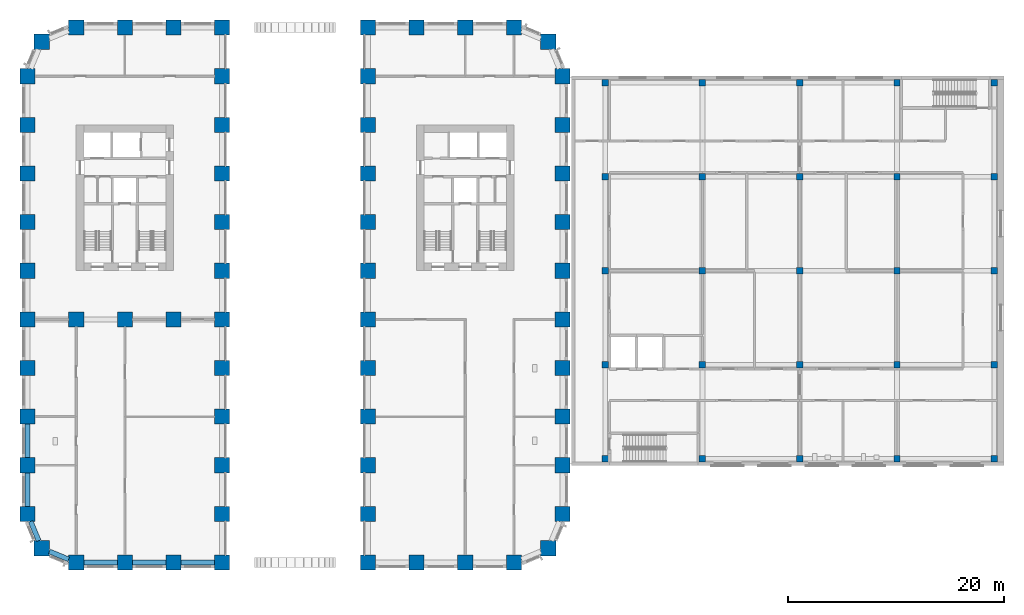
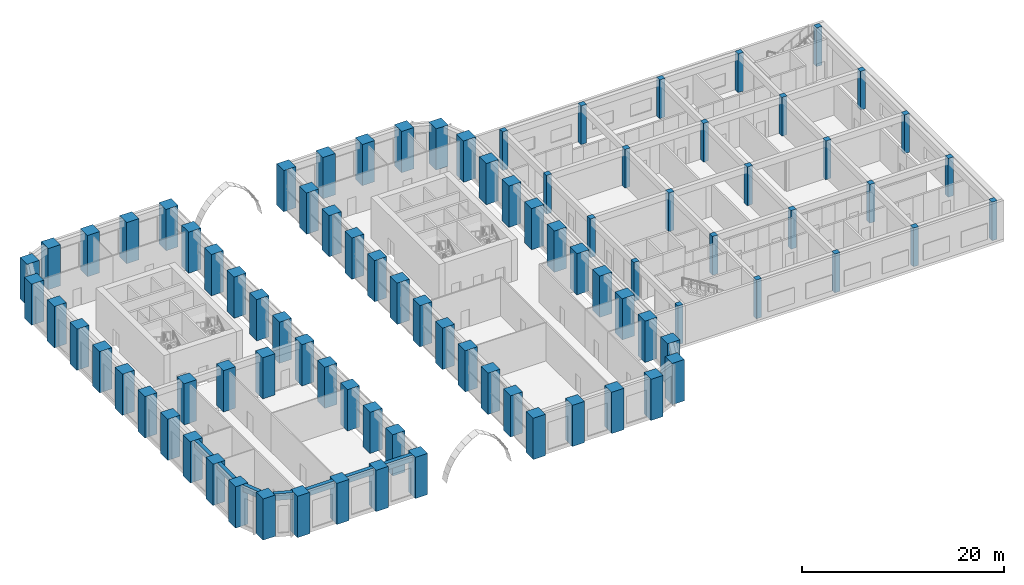
# One storey, part 1 of 24: 88 columns, 7 beams.
"""IFC4 building model written with IfcOpenShell, lengths in metres."""

import ifcopenshell
import ifcopenshell.guid

model = None  # the IFC model being written
_history = None  # IfcOwnerHistory: only IFC2X3 demands one
_inside = {}  # id of a spatial element -> (the spatial element, [elements in it])
_under = {}  # id of a project, library or spatial element -> (it, [spatial elements below it])
_declared = {}  # id of a project -> (the project, [libraries it declares])
_typed = {}  # id of a type object -> (the type object, [elements of that type])
_made_of = {}  # id of a material, layer set ... -> (it, [elements and type objects made of it])


def new_model(schema):
    """Start an empty IFC model of exactly this schema.

    Asked for "IFC4X3", IfcOpenShell would pick the latest addendum, in which some entities
    have other attributes; the version numbers below select the first issue.
    IFC2X3 requires an IfcOwnerHistory on every rooted entity: one is made here for all.
    """
    global model, _history
    if schema == "IFC4X3":
        model = ifcopenshell.file(schema_version=(4, 3, 0, 0))
    else:
        model = ifcopenshell.file(schema=schema)
    _inside.clear()
    _under.clear()
    _declared.clear()
    _typed.clear()
    _made_of.clear()
    _history = None
    if model.schema == "IFC2X3":
        org = make("IfcOrganization", Name="unknown")
        user = make(
            "IfcPersonAndOrganization",
            ThePerson=make("IfcPerson", FamilyName="unknown"),
            TheOrganization=org,
        )
        app = make(
            "IfcApplication",
            ApplicationDeveloper=org,
            Version="unknown",
            ApplicationFullName="unknown",
            ApplicationIdentifier="unknown",
        )
        _history = make(
            "IfcOwnerHistory",
            OwningUser=user,
            OwningApplication=app,
            ChangeAction="ADDED",
            CreationDate=0,
        )
    return model


def make(cls, **values):
    """One entity of the class cls with the attributes given. An attribute that is None is left unset."""
    return model.create_entity(
        cls, **{name: value for name, value in values.items() if value is not None}
    )


def rooted(cls, **values):
    """An entity with a GlobalId (a new one), such as an element, a storey or a relation."""
    return make(cls, GlobalId=ifcopenshell.guid.new(), OwnerHistory=_history, **values)


def si_unit(unit_type, name, prefix=None):
    """IfcSIUnit, for example si_unit("LENGTHUNIT", "METRE", prefix="MILLI")."""
    return make("IfcSIUnit", UnitType=unit_type, Prefix=prefix, Name=name)


def assignment(units):
    """IfcUnitAssignment: the units of a project."""
    return None if units is None else make("IfcUnitAssignment", Units=units)


def point(xyz):
    """IfcCartesianPoint."""
    return None if xyz is None else make("IfcCartesianPoint", Coordinates=xyz)


def direction(xyz):
    """IfcDirection."""
    return None if xyz is None else make("IfcDirection", DirectionRatios=xyz)


def frame(location, z_axis=None, x_axis=None):
    """IfcAxis2Placement3D, a coordinate frame: its origin and axes. An axis left out is left unset."""
    return make(
        "IfcAxis2Placement3D",
        Location=point(location),
        Axis=direction(z_axis),
        RefDirection=direction(x_axis),
    )


def frame_2d(location, x_axis=None):
    """IfcAxis2Placement2D, a coordinate frame in the plane: its origin and x axis."""
    return make(
        "IfcAxis2Placement2D", Location=point(location), RefDirection=direction(x_axis)
    )


def origin():
    """The frame at (0, 0, 0) with its axes left unset."""
    return frame((0.0, 0.0, 0.0))


def origin_2d():
    """The frame at (0, 0) in the plane with its x axis left unset."""
    return frame_2d((0.0, 0.0))


def place(relative_to, where):
    """IfcLocalPlacement: puts the frame where relative to a parent placement (None: the world)."""
    return make(
        "IfcLocalPlacement", PlacementRelTo=relative_to, RelativePlacement=where
    )


def context(
    kind, dimensions, precision=None, world=None, true_north=None, identifier=None
):
    """IfcGeometricRepresentationContext, for example the 3D "Model" context."""
    return make(
        "IfcGeometricRepresentationContext",
        ContextIdentifier=identifier,
        ContextType=kind,
        CoordinateSpaceDimension=dimensions,
        Precision=precision,
        WorldCoordinateSystem=world,
        TrueNorth=true_north,
    )


def subcontext(parent, identifier, kind, view, scale=None):
    """IfcGeometricRepresentationSubContext, for example "Body" below "Model"."""
    return make(
        "IfcGeometricRepresentationSubContext",
        ContextIdentifier=identifier,
        ContextType=kind,
        ParentContext=parent,
        TargetScale=scale,
        TargetView=view,
    )


def project(units=None, contexts=None):
    """IfcProject with its units and contexts."""
    return rooted(
        "IfcProject",
        Name="project",
        RepresentationContexts=contexts,
        UnitsInContext=assignment(units),
    )


def spatial(cls, under=None, at=None, **own):
    """A site, building, storey or space (cls), placed at a placement, below another one or the project."""
    s = rooted(cls, ObjectPlacement=at, **own)
    if under is not None:
        _under.setdefault(under.id(), (under, []))[1].append(s)
    return s


def profile(cls, at=None, kind="AREA", **sizes):
    """A parametric profile (cls). Its sizes go by their IFC names, for example OverallWidth=200.0."""
    return make(cls, ProfileType=kind, Position=at, **sizes)


def rectangle(**sizes):
    """IfcRectangleProfileDef."""
    return profile("IfcRectangleProfileDef", **sizes)


def extrude(swept, where, along, depth):
    """IfcExtrudedAreaSolid: the profile swept, set in the frame where, extruded along a direction by depth."""
    return make(
        "IfcExtrudedAreaSolid",
        SweptArea=swept,
        Position=where,
        ExtrudedDirection=direction(along),
        Depth=depth,
    )


def shape(context_of_items, identifier, shape_type, items):
    """IfcShapeRepresentation: the items that make up one representation, for example the "Body"."""
    return make(
        "IfcShapeRepresentation",
        ContextOfItems=context_of_items,
        RepresentationIdentifier=identifier,
        RepresentationType=shape_type,
        Items=items,
    )


def material(Name=None, Category=None):
    """IfcMaterial."""
    return make("IfcMaterial", Name=Name, Category=Category)


def material_profile(
    of_material, cross_section, Name=None, Category=None, Priority=None
):
    """IfcMaterialProfile: a cross section and its material."""
    return make(
        "IfcMaterialProfile",
        Name=Name,
        Material=of_material,
        Profile=cross_section,
        Priority=Priority,
        Category=Category,
    )


def profile_set(profiles, Name=None, composite=None):
    """IfcMaterialProfileSet."""
    return make(
        "IfcMaterialProfileSet",
        Name=Name,
        MaterialProfiles=profiles,
        CompositeProfile=composite,
    )


def made_of(thing, what):
    """Note that an element or type object is made of a material, layer set ...; save() writes the relation."""
    if what is not None:
        _made_of.setdefault(what.id(), (what, []))[1].append(thing)
    return thing


def type_object(cls, material=None, **own):
    """A type object (cls), such as IfcWallType, which elements share."""
    return made_of(rooted(cls, **own), material)


def element(
    cls,
    number,
    at=None,
    inside=None,
    cuts=None,
    type_object=None,
    material=None,
    context=None,
    identifier="Body",
    shape_type=None,
    held_by="IfcProductDefinitionShape",
    body=None,
    shapes=None,
    **own,
):
    """One element of the class cls, such as IfcWall. Its Tag is "e" and its number.

    at: its placement. inside: the storey or other place that contains it. cuts: it is an
    opening in that element (IfcRelVoidsElement). A single representation is given by context,
    identifier, shape_type and body (its items); several are given by shapes. held_by: the class
    of the entity that holds the representations. save() writes the other relations.
    """
    e = rooted(cls, Tag="e%d" % number, ObjectPlacement=at, **own)
    if body is not None:
        shapes = [shape(context, identifier, shape_type, body)]
    if shapes is not None:
        e.Representation = make(held_by, Representations=shapes)
    if inside is not None:
        _inside.setdefault(inside.id(), (inside, []))[1].append(e)
    if cuts is not None:
        rooted(
            "IfcRelVoidsElement", RelatingBuildingElement=cuts, RelatedOpeningElement=e
        )
    if type_object is not None:
        _typed.setdefault(type_object.id(), (type_object, []))[1].append(e)
    return made_of(e, material)


def aggregate(whole, parts):
    """IfcRelAggregates: a whole, such as a stair, and the parts it consists of."""
    return rooted("IfcRelAggregates", RelatingObject=whole, RelatedObjects=parts)


def save(model, path):
    """Write the relations noted so far, then the file.

    IfcRelAggregates (storeys below a building ...), IfcRelContainedInSpatialStructure (elements
    in a storey), IfcRelDefinesByType, IfcRelAssociatesMaterial and IfcRelDeclares: one each for
    every whole, place, type object, material and project.
    """
    for whole, parts in _under.values():
        aggregate(whole, parts)
    for where, things in _inside.values():
        rooted(
            "IfcRelContainedInSpatialStructure",
            RelatedElements=things,
            RelatingStructure=where,
        )
    for kind, things in _typed.values():
        rooted("IfcRelDefinesByType", RelatedObjects=things, RelatingType=kind)
    for what, things in _made_of.values():
        rooted("IfcRelAssociatesMaterial", RelatedObjects=things, RelatingMaterial=what)
    for by, libraries in _declared.values():
        rooted("IfcRelDeclares", RelatingContext=by, RelatedDefinitions=libraries)
    model.write(path)


model = new_model("IFC4")

# Units and contexts
model_context = context("Model", 3, precision=1e-05, world=origin(), true_north=direction((0.0, 1.0)))
body_context = subcontext(model_context, "Body", "Model", "MODEL_VIEW")
ifc_project = project(units=[si_unit("LENGTHUNIT", "METRE"), si_unit("AREAUNIT", "SQUARE_METRE"), si_unit("VOLUMEUNIT", "CUBIC_METRE"), si_unit("PLANEANGLEUNIT", "RADIAN"), si_unit("MASSUNIT", "GRAM", prefix="KILO")], contexts=[model_context])

# Site, building, storey
site_placement = place(None, origin())
site = spatial("IfcSite", under=ifc_project, at=site_placement, CompositionType="ELEMENT")
building_placement = place(site_placement, origin())
building = spatial("IfcBuilding", under=site, at=building_placement, Name="Girih Gate Residences", CompositionType="ELEMENT")
storey_placement = place(building_placement, frame((0.0, 0.0, 11.0)))
storey = spatial("IfcBuildingStorey", under=building, at=storey_placement, Name="L02", CompositionType="ELEMENT", Elevation=11.0)

# Columns
ifc_material_1 = material(Name="Concrete C50/60", Category="concrete")
ifc_material_profile_1 = material_profile(ifc_material_1, rectangle(XDim=0.60009765625, YDim=0.60009765625, at=origin_2d()))
ifc_profile_set_1 = profile_set([ifc_material_profile_1], Name="Concrete C50/60")
column_type_1 = type_object("IfcColumnType", Name="HC Column 600x600 C50/60", PredefinedType="COLUMN", material=ifc_profile_set_1)
for number, where, z_axis, x_axis, name in (
    (1, (53.449951171875, 9.60009765625, 0.0), (0.0, 0.0, 1.0), (1.0, 0.0, 0.0), "L02 column H1/HA"),
    (2, (53.449951171875, 18.300048828125, 0.0), (0.0, 0.0, 1.0), (1.0, 0.0, 0.0), "L02 column H1/HB"),
    (3, (53.449951171875, 27.0, 0.0), (0.0, 0.0, 1.0), (1.0, 0.0, 0.0), "L02 column H1/HC"),
    (4, (53.449951171875, 35.699951171875, 0.0), (0.0, 0.0, 1.0), (1.0, 0.0, 0.0), "L02 column H1/HD"),
    (5, (53.449951171875, 44.39990234375, 0.0), (0.0, 0.0, 1.0), (1.0, 0.0, 0.0), "L02 column H1/HE"),
    (6, (62.449951171875, 9.60009765625, 0.0), (0.0, 0.0, 1.0), (1.0, 0.0, 0.0), "L02 column H2/HA"),
    (7, (62.449951171875, 18.300048828125, 0.0), (0.0, 0.0, 1.0), (1.0, 0.0, 0.0), "L02 column H2/HB"),
    (8, (62.449951171875, 27.0, 0.0), (0.0, 0.0, 1.0), (1.0, 0.0, 0.0), "L02 column H2/HC"),
    (9, (62.449951171875, 35.699951171875, 0.0), (0.0, 0.0, 1.0), (1.0, 0.0, 0.0), "L02 column H2/HD"),
    (10, (62.449951171875, 44.39990234375, 0.0), (0.0, 0.0, 1.0), (1.0, 0.0, 0.0), "L02 column H2/HE"),
    (11, (71.449951171875, 9.60009765625, 0.0), (0.0, 0.0, 1.0), (1.0, 0.0, 0.0), "L02 column H3/HA"),
    (12, (71.449951171875, 18.300048828125, 0.0), (0.0, 0.0, 1.0), (1.0, 0.0, 0.0), "L02 column H3/HB"),
    (13, (71.449951171875, 27.0, 0.0), (0.0, 0.0, 1.0), (1.0, 0.0, 0.0), "L02 column H3/HC"),
    (14, (71.449951171875, 35.699951171875, 0.0), (0.0, 0.0, 1.0), (1.0, 0.0, 0.0), "L02 column H3/HD"),
    (15, (71.449951171875, 44.39990234375, 0.0), (0.0, 0.0, 1.0), (1.0, 0.0, 0.0), "L02 column H3/HE"),
    (16, (80.449951171875, 9.60009765625, 0.0), (0.0, 0.0, 1.0), (1.0, 0.0, 0.0), "L02 column H4/HA"),
    (17, (80.449951171875, 18.300048828125, 0.0), (0.0, 0.0, 1.0), (1.0, 0.0, 0.0), "L02 column H4/HB"),
    (18, (80.449951171875, 27.0, 0.0), (0.0, 0.0, 1.0), (1.0, 0.0, 0.0), "L02 column H4/HC"),
    (19, (80.449951171875, 35.699951171875, 0.0), (0.0, 0.0, 1.0), (1.0, 0.0, 0.0), "L02 column H4/HD"),
    (20, (80.449951171875, 44.39990234375, 0.0), (0.0, 0.0, 1.0), (1.0, 0.0, 0.0), "L02 column H4/HE"),
    (21, (89.449951171875, 9.60009765625, 0.0), (0.0, 0.0, 1.0), (1.0, 0.0, 0.0), "L02 column H5/HA"),
    (22, (89.449951171875, 18.300048828125, 0.0), (0.0, 0.0, 1.0), (1.0, 0.0, 0.0), "L02 column H5/HB"),
    (23, (89.449951171875, 27.0, 0.0), (0.0, 0.0, 1.0), (1.0, 0.0, 0.0), "L02 column H5/HC"),
    (24, (89.449951171875, 35.699951171875, 0.0), (0.0, 0.0, 1.0), (1.0, 0.0, 0.0), "L02 column H5/HD"),
    (25, (89.449951171875, 44.39990234375, 0.0), (0.0, 0.0, 1.0), (1.0, 0.0, 0.0), "L02 column H5/HE"),
):
    element("IfcColumn", number, at=place(storey_placement, frame(where, z_axis=z_axis, x_axis=x_axis)), inside=storey, type_object=column_type_1, Name=name, PredefinedType="COLUMN", context=body_context, shape_type="SweptSolid", body=[
        extrude(rectangle(XDim=0.60009765625, YDim=0.60009765625, at=origin_2d()), origin(), (0.0, 0.0, 1.0), 4.699951171875),
    ])
ifc_material_2 = material(Name="Concrete C80/95", Category="concrete")
ifc_material_profile_2 = material_profile(ifc_material_2, rectangle(XDim=1.39990234375, YDim=1.39990234375, at=origin_2d()))
ifc_profile_set_2 = profile_set([ifc_material_profile_2], Name="Concrete C80/95")
column_type_2 = type_object("IfcColumnType", Name="Pier RC 1400x1400 Concrete C80/95", PredefinedType="COLUMN", material=ifc_profile_set_2)
for number, where, z_axis, x_axis, name in (
    (26, (4.5, 0.0, 0.0), (0.0, 0.0, 1.0), (1.0, 0.0, 0.0), "Pier P2A L02"),
    (27, (9.0, 0.0, 0.0), (0.0, 0.0, 1.0), (1.0, 0.0, 0.0), "Pier P3A L02"),
    (28, (13.5, 0.0, 0.0), (0.0, 0.0, 1.0), (1.0, 0.0, 0.0), "Pier P4A L02"),
    (29, (18.0, 0.0, 0.0), (0.0, 0.0, 1.0), (1.0, 0.0, 0.0), "Pier P5A L02"),
    (30, (31.5, 0.0, 0.0), (0.0, 0.0, 1.0), (1.0, 0.0, 0.0), "Pier P8A L02"),
    (31, (36.0, 0.0, 0.0), (0.0, 0.0, 1.0), (1.0, 0.0, 0.0), "Pier P9A L02"),
    (32, (40.5, 0.0, 0.0), (0.0, 0.0, 1.0), (1.0, 0.0, 0.0), "Pier P10A L02"),
    (33, (45.0, 0.0, 0.0), (0.0, 0.0, 1.0), (1.0, 0.0, 0.0), "Pier P11A L02"),
    (34, (1.318115234375, 1.318115234375, 0.0), (0.0, 0.0, 1.0), (1.0, 0.0, 0.0), "Pier P1ANE L02"),
    (35, (48.181884765625, 1.318115234375, 0.0), (0.0, 0.0, 1.0), (1.0, 0.0, 0.0), "Pier P12ANW L02"),
    (36, (0.0, 4.5, 0.0), (0.0, 0.0, 1.0), (1.0, 0.0, 0.0), "Pier P1B L02"),
    (37, (18.0, 4.5, 0.0), (0.0, 0.0, 1.0), (1.0, 0.0, 0.0), "Pier P5B L02"),
    (38, (31.5, 4.5, 0.0), (0.0, 0.0, 1.0), (1.0, 0.0, 0.0), "Pier P8B L02"),
    (39, (49.5, 4.5, 0.0), (0.0, 0.0, 1.0), (1.0, 0.0, 0.0), "Pier P12B L02"),
    (40, (0.0, 9.0, 0.0), (0.0, 0.0, 1.0), (1.0, 0.0, 0.0), "Pier P1C L02"),
    (41, (18.0, 9.0, 0.0), (0.0, 0.0, 1.0), (1.0, 0.0, 0.0), "Pier P5C L02"),
    (42, (31.5, 9.0, 0.0), (0.0, 0.0, 1.0), (1.0, 0.0, 0.0), "Pier P8C L02"),
    (43, (49.5, 9.0, 0.0), (0.0, 0.0, 1.0), (1.0, 0.0, 0.0), "Pier P12C L02"),
    (44, (0.0, 13.5, 0.0), (0.0, 0.0, 1.0), (1.0, 0.0, 0.0), "Pier P1D L02"),
    (45, (18.0, 13.5, 0.0), (0.0, 0.0, 1.0), (1.0, 0.0, 0.0), "Pier P5D L02"),
    (46, (31.5, 13.5, 0.0), (0.0, 0.0, 1.0), (1.0, 0.0, 0.0), "Pier P8D L02"),
    (47, (49.5, 13.5, 0.0), (0.0, 0.0, 1.0), (1.0, 0.0, 0.0), "Pier P12D L02"),
    (48, (0.0, 18.0, 0.0), (0.0, 0.0, 1.0), (1.0, 0.0, 0.0), "Pier P1E L02"),
    (49, (18.0, 18.0, 0.0), (0.0, 0.0, 1.0), (1.0, 0.0, 0.0), "Pier P5E L02"),
    (50, (31.5, 18.0, 0.0), (0.0, 0.0, 1.0), (1.0, 0.0, 0.0), "Pier P8E L02"),
    (51, (49.5, 18.0, 0.0), (0.0, 0.0, 1.0), (1.0, 0.0, 0.0), "Pier P12E L02"),
    (52, (0.0, 22.5, 0.0), (0.0, 0.0, 1.0), (1.0, 0.0, 0.0), "Pier P1F L02"),
    (53, (4.5, 22.5, 0.0), (0.0, 0.0, 1.0), (1.0, 0.0, 0.0), "Pier P2F L02"),
    (54, (9.0, 22.5, 0.0), (0.0, 0.0, 1.0), (1.0, 0.0, 0.0), "Pier P3F L02"),
    (55, (13.5, 22.5, 0.0), (0.0, 0.0, 1.0), (1.0, 0.0, 0.0), "Pier P4F L02"),
    (56, (18.0, 22.5, 0.0), (0.0, 0.0, 1.0), (1.0, 0.0, 0.0), "Pier P5F L02"),
    (57, (31.5, 22.5, 0.0), (0.0, 0.0, 1.0), (1.0, 0.0, 0.0), "Pier P8F L02"),
    (58, (49.5, 22.5, 0.0), (0.0, 0.0, 1.0), (1.0, 0.0, 0.0), "Pier P12F L02"),
    (59, (0.0, 27.0, 0.0), (0.0, 0.0, 1.0), (1.0, 0.0, 0.0), "Pier P1G L02"),
    (60, (18.0, 27.0, 0.0), (0.0, 0.0, 1.0), (1.0, 0.0, 0.0), "Pier P5G L02"),
    (61, (31.5, 27.0, 0.0), (0.0, 0.0, 1.0), (1.0, 0.0, 0.0), "Pier P8G L02"),
    (62, (49.5, 27.0, 0.0), (0.0, 0.0, 1.0), (1.0, 0.0, 0.0), "Pier P12G L02"),
    (63, (0.0, 31.5, 0.0), (0.0, 0.0, 1.0), (1.0, 0.0, 0.0), "Pier P1H L02"),
    (64, (18.0, 31.5, 0.0), (0.0, 0.0, 1.0), (1.0, 0.0, 0.0), "Pier P5H L02"),
    (65, (31.5, 31.5, 0.0), (0.0, 0.0, 1.0), (1.0, 0.0, 0.0), "Pier P8H L02"),
    (66, (49.5, 31.5, 0.0), (0.0, 0.0, 1.0), (1.0, 0.0, 0.0), "Pier P12H L02"),
    (67, (0.0, 36.0, 0.0), (0.0, 0.0, 1.0), (1.0, 0.0, 0.0), "Pier P1I L02"),
    (68, (18.0, 36.0, 0.0), (0.0, 0.0, 1.0), (1.0, 0.0, 0.0), "Pier P5I L02"),
    (69, (31.5, 36.0, 0.0), (0.0, 0.0, 1.0), (1.0, 0.0, 0.0), "Pier P8I L02"),
    (70, (49.5, 36.0, 0.0), (0.0, 0.0, 1.0), (1.0, 0.0, 0.0), "Pier P12I L02"),
    (71, (0.0, 40.5, 0.0), (0.0, 0.0, 1.0), (1.0, 0.0, 0.0), "Pier P1J L02"),
    (72, (18.0, 40.5, 0.0), (0.0, 0.0, 1.0), (1.0, 0.0, 0.0), "Pier P5J L02"),
    (73, (31.5, 40.5, 0.0), (0.0, 0.0, 1.0), (1.0, 0.0, 0.0), "Pier P8J L02"),
    (74, (49.5, 40.5, 0.0), (0.0, 0.0, 1.0), (1.0, 0.0, 0.0), "Pier P12J L02"),
    (75, (0.0, 45.0, 0.0), (0.0, 0.0, 1.0), (1.0, 0.0, 0.0), "Pier P1K L02"),
    (76, (18.0, 45.0, 0.0), (0.0, 0.0, 1.0), (1.0, 0.0, 0.0), "Pier P5K L02"),
    (77, (31.5, 45.0, 0.0), (0.0, 0.0, 1.0), (1.0, 0.0, 0.0), "Pier P8K L02"),
    (78, (49.5, 45.0, 0.0), (0.0, 0.0, 1.0), (1.0, 0.0, 0.0), "Pier P12K L02"),
    (79, (1.318115234375, 48.181884765625, 0.0), (0.0, 0.0, 1.0), (1.0, 0.0, 0.0), "Pier P1LSE L02"),
    (80, (48.181884765625, 48.181884765625, 0.0), (0.0, 0.0, 1.0), (1.0, 0.0, 0.0), "Pier P12LSW L02"),
    (81, (4.5, 49.5, 0.0), (0.0, 0.0, 1.0), (1.0, 0.0, 0.0), "Pier P2L L02"),
    (82, (9.0, 49.5, 0.0), (0.0, 0.0, 1.0), (1.0, 0.0, 0.0), "Pier P3L L02"),
    (83, (13.5, 49.5, 0.0), (0.0, 0.0, 1.0), (1.0, 0.0, 0.0), "Pier P4L L02"),
    (84, (18.0, 49.5, 0.0), (0.0, 0.0, 1.0), (1.0, 0.0, 0.0), "Pier P5L L02"),
    (85, (31.5, 49.5, 0.0), (0.0, 0.0, 1.0), (1.0, 0.0, 0.0), "Pier P8L L02"),
    (86, (36.0, 49.5, 0.0), (0.0, 0.0, 1.0), (1.0, 0.0, 0.0), "Pier P9L L02"),
    (87, (40.5, 49.5, 0.0), (0.0, 0.0, 1.0), (1.0, 0.0, 0.0), "Pier P10L L02"),
    (88, (45.0, 49.5, 0.0), (0.0, 0.0, 1.0), (1.0, 0.0, 0.0), "Pier P11L L02"),
):
    element("IfcColumn", number, at=place(storey_placement, frame(where, z_axis=z_axis, x_axis=x_axis)), inside=storey, type_object=column_type_2, Name=name, PredefinedType="COLUMN", context=body_context, shape_type="SweptSolid", body=[
        extrude(rectangle(XDim=1.39990234375, YDim=1.39990234375, at=origin_2d()), origin(), (0.0, 0.0, 1.0), 5.0),
    ])

# Beams
ifc_material_3 = material(Name="Concrete C60/75", Category="concrete")
ifc_material_profile_3 = material_profile(ifc_material_3, rectangle(XDim=0.449951171875, YDim=0.800048828125, at=origin_2d()))
ifc_profile_set_3 = profile_set([ifc_material_profile_3], Name="Concrete C60/75")
beam_type = type_object("IfcBeamType", Name="Spandrel girder RC 450x800 Concrete C60/75", PredefinedType="BEAM", material=ifc_profile_set_3)
for number, where, z_axis, x_axis, name in (
    (89, (0.0, 12.800048828125, 4.60009765625), (0.0, -1.0, 0.0), (1.0, 0.0, 0.0), "Spandrel girder SP-P1D-P1C L02"),
    (90, (0.0, 8.300048828125, 4.60009765625), (0.0, -1.0, 0.0), (1.0, 0.0, 0.0), "Spandrel girder SP-P1C-P1B L02"),
):
    element("IfcBeam", number, at=place(storey_placement, frame(where, z_axis=z_axis, x_axis=x_axis)), inside=storey, type_object=beam_type, Name=name, PredefinedType="BEAM", context=body_context, shape_type="SweptSolid", body=[
        extrude(rectangle(XDim=0.449951171875, YDim=0.800048828125, at=origin_2d()), origin(), (0.0, 0.0, 1.0), 3.10009765625),
    ])
for number, where, z_axis, x_axis, name in (
    (91, (0.2900390625, 3.800048828125, 4.60009765625), (0.382646180293, -0.923894961945, 0.0), (0.923894961945, 0.382646180293, 0.0), "Spandrel girder SP-P1B-P1ANE L02"),
    (92, (2.01806640625, 1.028076171875, 4.60009765625), (0.923894961945, -0.382646180293, 0.0), (0.382646180293, 0.923894961945, 0.0), "Spandrel girder SP-P1ANE-P2A L02"),
):
    element("IfcBeam", number, at=place(storey_placement, frame(where, z_axis=z_axis, x_axis=x_axis)), inside=storey, type_object=beam_type, Name=name, PredefinedType="BEAM", context=body_context, shape_type="SweptSolid", body=[
        extrude(rectangle(XDim=0.449951171875, YDim=0.800048828125, at=origin_2d()), origin(), (0.0, 0.0, 1.0), 1.9287109375),
    ])
for number, where, z_axis, x_axis, name in (
    (93, (5.199951171875, 0.0, 4.60009765625), (1.0, 0.0, 0.0), (0.0, 1.0, 0.0), "Spandrel girder SP-P2A-P3A L02"),
    (94, (9.699951171875, 0.0, 4.60009765625), (1.0, 0.0, 0.0), (0.0, 1.0, 0.0), "Spandrel girder SP-P3A-P4A L02"),
    (95, (14.199951171875, 0.0, 4.60009765625), (1.0, 0.0, 0.0), (0.0, 1.0, 0.0), "Spandrel girder SP-P4A-P5A L02"),
):
    element("IfcBeam", number, at=place(storey_placement, frame(where, z_axis=z_axis, x_axis=x_axis)), inside=storey, type_object=beam_type, Name=name, PredefinedType="BEAM", context=body_context, shape_type="SweptSolid", body=[
        extrude(rectangle(XDim=0.449951171875, YDim=0.800048828125, at=origin_2d()), origin(), (0.0, 0.0, 1.0), 3.10009765625),
    ])

save(model, "model.ifc")
